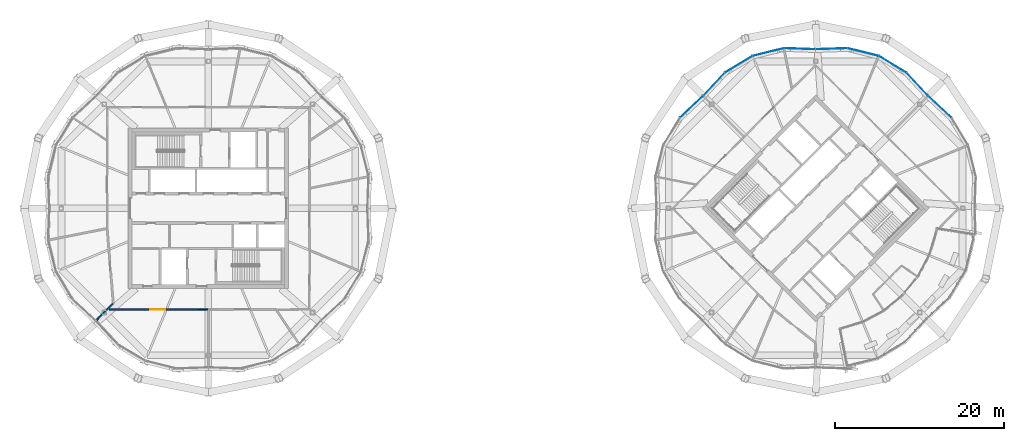
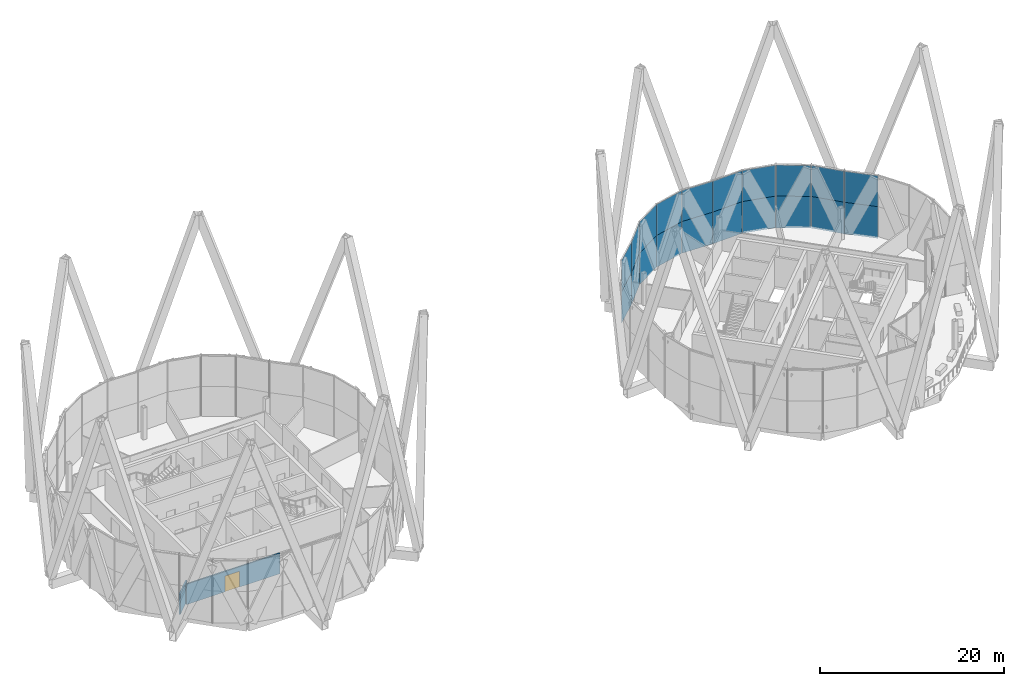
# One storey, part 29 of 38: 20 plates, 2 walls, 1 door, 1 opening, 4 elements without a shape of their own.
"""IFC4 building model written with IfcOpenShell, lengths in metres."""

from ifc_helpers import new_model, si_unit, direction, frame, frame_2d, origin, origin_2d, place, context, subcontext, project, spatial, rectangle, extrude, material, layer, layer_set, type_object, element, fill, aggregate, save


model = new_model("IFC4")

# Units and contexts
model_context = context("Model", 3, precision=1e-05, world=origin(), true_north=direction((0.0, 1.0)))
body_context = subcontext(model_context, "Body", "Model", "MODEL_VIEW")
ifc_project = project(units=[si_unit("LENGTHUNIT", "METRE"), si_unit("AREAUNIT", "SQUARE_METRE"), si_unit("VOLUMEUNIT", "CUBIC_METRE"), si_unit("PLANEANGLEUNIT", "RADIAN"), si_unit("MASSUNIT", "GRAM", prefix="KILO")], contexts=[model_context])

# Site, building, storey
site_placement = place(None, origin())
site = spatial("IfcSite", under=ifc_project, at=site_placement, CompositionType="ELEMENT")
building_placement = place(site_placement, origin())
building = spatial("IfcBuilding", under=site, at=building_placement, Name="Ogive Gate Towers", CompositionType="ELEMENT")
storey_placement = place(building_placement, frame((0.0, 0.0, 268.800048828125)))
storey = spatial("IfcBuildingStorey", under=building, at=storey_placement, Name="L63", CompositionType="ELEMENT", Elevation=268.800048828125)

# Curtain wall, plates
ifc_material_1 = material(Name="Pale metal aluminium", Category="aluminium")
curtain_wall_type = type_object("IfcCurtainWallType", Name="Tower unitised wall, high zone", PredefinedType="NOTDEFINED", material=ifc_material_1)
curtain_wall_1_placement = place(storey_placement, origin())
curtain_wall_1 = element("IfcCurtainWall", 1, at=curtain_wall_1_placement, inside=storey, type_object=curtain_wall_type, Name="CW2 T2 ECW03", PredefinedType="NOTDEFINED")
ifc_material_2 = material(Name="Clear glass", Category="glass")
ifc_layer_1 = layer(ifc_material_2, 0.028076171875)
ifc_layer_set_1 = layer_set([ifc_layer_1], Name="Tower unitised wall, high zone glass panel")
plate_type = type_object("IfcPlateType", Name="Tower unitised wall, high zone glass panel", PredefinedType="CURTAIN_PANEL", material=ifc_layer_set_1)
plate_1_placement = place(storey_placement, frame((50.712890625, 12.05126953125, -0.2998046875), z_axis=(0.0, 0.0, 1.0), x_axis=(0.73111559473, -0.682253609109, 0.0)))
plate_1 = element("IfcPlate", 2, at=plate_1_placement, type_object=plate_type, Name="CW2 glass panel", PredefinedType="CURTAIN_PANEL", context=body_context, shape_type="SweptSolid", body=[
    extrude(rectangle(XDim=3.712158203125, YDim=0.028076171875, at=origin_2d()), origin(), (0.0, 0.0, 1.0), 4.199951171875),
])
plate_2_placement = place(storey_placement, frame((50.712890625, 12.05126953125, 3.89990234375), z_axis=(0.0, 0.0, 1.0), x_axis=(0.73111559473, -0.682253609109, 0.0)))
plate_2 = element("IfcPlate", 3, at=plate_2_placement, type_object=plate_type, Name="CW2 glass panel", PredefinedType="CURTAIN_PANEL", context=body_context, shape_type="SweptSolid", body=[
    extrude(rectangle(XDim=3.712158203125, YDim=0.028076171875, at=origin_2d()), origin(), (0.0, 0.0, 1.0), 4.10400390625),
])
aggregate(curtain_wall_1, [plate_1, plate_2])

curtain_wall_2_placement = place(storey_placement, origin())
curtain_wall_2 = element("IfcCurtainWall", 4, at=curtain_wall_2_placement, inside=storey, type_object=curtain_wall_type, Name="CW2 T2 ECW04", PredefinedType="NOTDEFINED")
plate_3_placement = place(storey_placement, frame((37.882080078125, 18.925048828125, -0.2998046875), z_axis=(0.0, 0.0, 1.0), x_axis=(0.999403551225, 0.034533198497, 0.0)))
plate_3 = element("IfcPlate", 5, at=plate_3_placement, type_object=plate_type, Name="CW2 glass panel", PredefinedType="CURTAIN_PANEL", context=body_context, shape_type="SweptSolid", body=[
    extrude(rectangle(XDim=3.712158203125, YDim=0.028076171875, at=origin_2d()), origin(), (0.0, 0.0, 1.0), 4.199951171875),
])
plate_4_placement = place(storey_placement, frame((37.882080078125, 18.925048828125, 3.89990234375), z_axis=(0.0, 0.0, 1.0), x_axis=(0.999403551225, 0.034533198497, 0.0)))
plate_4 = element("IfcPlate", 6, at=plate_4_placement, type_object=plate_type, Name="CW2 glass panel", PredefinedType="CURTAIN_PANEL", context=body_context, shape_type="SweptSolid", body=[
    extrude(rectangle(XDim=3.712158203125, YDim=0.028076171875, at=origin_2d()), origin(), (0.0, 0.0, 1.0), 4.10400390625),
])
plate_5_placement = place(storey_placement, frame((41.626708984375, 18.53125, -0.2998046875), z_axis=(0.0, 0.0, 1.0), x_axis=(0.97082957859, -0.239770576456, 0.0)))
plate_5 = element("IfcPlate", 7, at=plate_5_placement, type_object=plate_type, Name="CW2 glass panel", PredefinedType="CURTAIN_PANEL", context=body_context, shape_type="SweptSolid", body=[
    extrude(rectangle(XDim=3.767333984375, YDim=0.028076171875, at=origin_2d()), origin(), (0.0, 0.0, 1.0), 4.199951171875),
])
plate_6_placement = place(storey_placement, frame((41.626708984375, 18.53125, 3.89990234375), z_axis=(0.0, 0.0, 1.0), x_axis=(0.97082957859, -0.239770576456, 0.0)))
plate_6 = element("IfcPlate", 8, at=plate_6_placement, type_object=plate_type, Name="CW2 glass panel", PredefinedType="CURTAIN_PANEL", context=body_context, shape_type="SweptSolid", body=[
    extrude(rectangle(XDim=3.767333984375, YDim=0.028076171875, at=origin_2d()), origin(), (0.0, 0.0, 1.0), 4.10400390625),
])
plate_7_placement = place(storey_placement, frame((45.125, 17.082275390625, -0.2998046875), z_axis=(0.0, 0.0, 1.0), x_axis=(0.856032601057, -0.516921837348, 0.0)))
plate_7 = element("IfcPlate", 9, at=plate_7_placement, type_object=plate_type, Name="CW2 glass panel", PredefinedType="CURTAIN_PANEL", context=body_context, shape_type="SweptSolid", body=[
    extrude(rectangle(XDim=3.767578125, YDim=0.028076171875, at=origin_2d()), origin(), (0.0, 0.0, 1.0), 4.199951171875),
])
plate_8_placement = place(storey_placement, frame((45.125, 17.082275390625, 3.89990234375), z_axis=(0.0, 0.0, 1.0), x_axis=(0.856032601057, -0.516921837348, 0.0)))
plate_8 = element("IfcPlate", 10, at=plate_8_placement, type_object=plate_type, Name="CW2 glass panel", PredefinedType="CURTAIN_PANEL", context=body_context, shape_type="SweptSolid", body=[
    extrude(rectangle(XDim=3.767578125, YDim=0.028076171875, at=origin_2d()), origin(), (0.0, 0.0, 1.0), 4.10400390625),
])
plate_9_placement = place(storey_placement, frame((48.05126953125, 14.712890625, -0.2998046875), z_axis=(0.0, 0.0, 1.0), x_axis=(0.682253609109, -0.73111559473, 0.0)))
plate_9 = element("IfcPlate", 11, at=plate_9_placement, type_object=plate_type, Name="CW2 glass panel", PredefinedType="CURTAIN_PANEL", context=body_context, shape_type="SweptSolid", body=[
    extrude(rectangle(XDim=3.712158203125, YDim=0.028076171875, at=origin_2d()), origin(), (0.0, 0.0, 1.0), 4.199951171875),
])
plate_10_placement = place(storey_placement, frame((48.05126953125, 14.712890625, 3.89990234375), z_axis=(0.0, 0.0, 1.0), x_axis=(0.682253609109, -0.73111559473, 0.0)))
plate_10 = element("IfcPlate", 12, at=plate_10_placement, type_object=plate_type, Name="CW2 glass panel", PredefinedType="CURTAIN_PANEL", context=body_context, shape_type="SweptSolid", body=[
    extrude(rectangle(XDim=3.712158203125, YDim=0.028076171875, at=origin_2d()), origin(), (0.0, 0.0, 1.0), 4.10400390625),
])
aggregate(curtain_wall_2, [plate_3, plate_4, plate_5, plate_6, plate_7, plate_8, plate_9, plate_10])

curtain_wall_3_placement = place(storey_placement, origin())
curtain_wall_3 = element("IfcCurtainWall", 13, at=curtain_wall_3_placement, inside=storey, type_object=curtain_wall_type, Name="CW2 T2 ECW05", PredefinedType="NOTDEFINED")
plate_11_placement = place(storey_placement, frame((23.94873046875, 14.712890625, -0.2998046875), z_axis=(0.0, 0.0, 1.0), x_axis=(0.682253609109, 0.73111559473, 0.0)))
plate_11 = element("IfcPlate", 14, at=plate_11_placement, type_object=plate_type, Name="CW2 glass panel", PredefinedType="CURTAIN_PANEL", context=body_context, shape_type="SweptSolid", body=[
    extrude(rectangle(XDim=3.712158203125, YDim=0.028076171875, at=origin_2d()), origin(), (0.0, 0.0, 1.0), 4.199951171875),
])
plate_12_placement = place(storey_placement, frame((23.94873046875, 14.712890625, 3.89990234375), z_axis=(0.0, 0.0, 1.0), x_axis=(0.682253609109, 0.73111559473, 0.0)))
plate_12 = element("IfcPlate", 15, at=plate_12_placement, type_object=plate_type, Name="CW2 glass panel", PredefinedType="CURTAIN_PANEL", context=body_context, shape_type="SweptSolid", body=[
    extrude(rectangle(XDim=3.712158203125, YDim=0.028076171875, at=origin_2d()), origin(), (0.0, 0.0, 1.0), 4.10400390625),
])
plate_13_placement = place(storey_placement, frame((26.875, 17.082275390625, -0.2998046875), z_axis=(0.0, 0.0, 1.0), x_axis=(0.856032601057, 0.516921837348, 0.0)))
plate_13 = element("IfcPlate", 16, at=plate_13_placement, type_object=plate_type, Name="CW2 glass panel", PredefinedType="CURTAIN_PANEL", context=body_context, shape_type="SweptSolid", body=[
    extrude(rectangle(XDim=3.767578125, YDim=0.028076171875, at=origin_2d()), origin(), (0.0, 0.0, 1.0), 4.199951171875),
])
plate_14_placement = place(storey_placement, frame((26.875, 17.082275390625, 3.89990234375), z_axis=(0.0, 0.0, 1.0), x_axis=(0.856032601057, 0.516921837348, 0.0)))
plate_14 = element("IfcPlate", 17, at=plate_14_placement, type_object=plate_type, Name="CW2 glass panel", PredefinedType="CURTAIN_PANEL", context=body_context, shape_type="SweptSolid", body=[
    extrude(rectangle(XDim=3.767578125, YDim=0.028076171875, at=origin_2d()), origin(), (0.0, 0.0, 1.0), 4.10400390625),
])
plate_15_placement = place(storey_placement, frame((30.373291015625, 18.53125, -0.2998046875), z_axis=(0.0, 0.0, 1.0), x_axis=(0.97082957859, 0.239770576456, 0.0)))
plate_15 = element("IfcPlate", 18, at=plate_15_placement, type_object=plate_type, Name="CW2 glass panel", PredefinedType="CURTAIN_PANEL", context=body_context, shape_type="SweptSolid", body=[
    extrude(rectangle(XDim=3.767333984375, YDim=0.028076171875, at=origin_2d()), origin(), (0.0, 0.0, 1.0), 4.199951171875),
])
plate_16_placement = place(storey_placement, frame((30.373291015625, 18.53125, 3.89990234375), z_axis=(0.0, 0.0, 1.0), x_axis=(0.97082957859, 0.239770576456, 0.0)))
plate_16 = element("IfcPlate", 19, at=plate_16_placement, type_object=plate_type, Name="CW2 glass panel", PredefinedType="CURTAIN_PANEL", context=body_context, shape_type="SweptSolid", body=[
    extrude(rectangle(XDim=3.767333984375, YDim=0.028076171875, at=origin_2d()), origin(), (0.0, 0.0, 1.0), 4.10400390625),
])
plate_17_placement = place(storey_placement, frame((34.117919921875, 18.925048828125, -0.2998046875), z_axis=(0.0, 0.0, 1.0), x_axis=(0.999403551225, -0.034533198497, 0.0)))
plate_17 = element("IfcPlate", 20, at=plate_17_placement, type_object=plate_type, Name="CW2 glass panel", PredefinedType="CURTAIN_PANEL", context=body_context, shape_type="SweptSolid", body=[
    extrude(rectangle(XDim=3.712158203125, YDim=0.028076171875, at=origin_2d()), origin(), (0.0, 0.0, 1.0), 4.199951171875),
])
plate_18_placement = place(storey_placement, frame((34.117919921875, 18.925048828125, 3.89990234375), z_axis=(0.0, 0.0, 1.0), x_axis=(0.999403551225, -0.034533198497, 0.0)))
plate_18 = element("IfcPlate", 21, at=plate_18_placement, type_object=plate_type, Name="CW2 glass panel", PredefinedType="CURTAIN_PANEL", context=body_context, shape_type="SweptSolid", body=[
    extrude(rectangle(XDim=3.712158203125, YDim=0.028076171875, at=origin_2d()), origin(), (0.0, 0.0, 1.0), 4.10400390625),
])
aggregate(curtain_wall_3, [plate_11, plate_12, plate_13, plate_14, plate_15, plate_16, plate_17, plate_18])

curtain_wall_4_placement = place(storey_placement, origin())
curtain_wall_4 = element("IfcCurtainWall", 22, at=curtain_wall_4_placement, inside=storey, type_object=curtain_wall_type, Name="CW2 T2 ECW06", PredefinedType="NOTDEFINED")
plate_19_placement = place(storey_placement, frame((21.287109375, 12.05126953125, -0.2998046875), z_axis=(0.0, 0.0, 1.0), x_axis=(0.73111559473, 0.682253609109, 0.0)))
plate_19 = element("IfcPlate", 23, at=plate_19_placement, type_object=plate_type, Name="CW2 glass panel", PredefinedType="CURTAIN_PANEL", context=body_context, shape_type="SweptSolid", body=[
    extrude(rectangle(XDim=3.712158203125, YDim=0.028076171875, at=origin_2d()), origin(), (0.0, 0.0, 1.0), 4.199951171875),
])
plate_20_placement = place(storey_placement, frame((21.287109375, 12.05126953125, 3.89990234375), z_axis=(0.0, 0.0, 1.0), x_axis=(0.73111559473, 0.682253609109, 0.0)))
plate_20 = element("IfcPlate", 24, at=plate_20_placement, type_object=plate_type, Name="CW2 glass panel", PredefinedType="CURTAIN_PANEL", context=body_context, shape_type="SweptSolid", body=[
    extrude(rectangle(XDim=3.712158203125, YDim=0.028076171875, at=origin_2d()), origin(), (0.0, 0.0, 1.0), 4.10400390625),
])
aggregate(curtain_wall_4, [plate_19, plate_20])

# Wall
ifc_material_3 = material(Name="Gypsum board acoustic partition")
ifc_layer_2 = layer(ifc_material_3, 0.175048828125)
ifc_layer_set_2 = layer_set([ifc_layer_2], Name="Acoustic partition 175")
wall_type = type_object("IfcWallType", Name="Acoustic partition 175", PredefinedType="PARTITIONING", material=ifc_layer_set_2)
wall_1_placement = place(storey_placement, frame((-49.322509765625, -13.322509765625, 0.0), z_axis=(0.0, 0.0, 1.0), x_axis=(0.707106781187, 0.707106781187, 0.0)))
element("IfcWall", 25, at=wall_1_placement, inside=storey, type_object=wall_type, Name="Partition T1-L63-007", PredefinedType="PARTITIONING", context=body_context, shape_type="SweptSolid", body=[
    extrude(rectangle(XDim=2.813232421875, YDim=0.175048828125, at=frame_2d((1.40673828125, 0.0))), origin(), (0.0, 0.0, 1.0), 2.699951171875),
])

# Wall, opening, door
wall_2_placement = place(storey_placement, frame((-47.759033203125, -11.980224609375, 0.0), z_axis=(0.0, 0.0, 1.0), x_axis=(0.999999655153, -0.000830478277, 0.0)))
wall_2 = element("IfcWall", 26, at=wall_2_placement, inside=storey, type_object=wall_type, Name="Partition T1-L63-016", PredefinedType="PARTITIONING", context=body_context, shape_type="SweptSolid", body=[
    extrude(rectangle(XDim=11.759033203125, YDim=0.175048828125, at=frame_2d((5.87939453125, 0.0))), origin(), (0.0, 0.0, 1.0), 2.699951171875),
])
opening_placement = place(wall_2_placement, frame((4.868896484375, 0.0, 0.0)))
opening = element("IfcOpeningElement", 27, at=opening_placement, cuts=wall_2, Name="Opening T1-L63-D05", PredefinedType="OPENING", context=body_context, shape_type="SweptSolid", body=[
    extrude(rectangle(XDim=1.800048828125, YDim=2.10009765625, at=frame_2d((0.89990234375, 1.050048828125))), frame((0.0, 0.09765625, 0.0), z_axis=(0.0, -1.0, 0.0), x_axis=(1.0, 0.0, 0.0)), (0.0, 0.0, 1.0), 0.195068359375),
])
ifc_material_4 = material(Name="Timber door", Category="wood")
door_type = type_object("IfcDoorType", Name="Door pair 1800", OperationType="NOTDEFINED", PredefinedType="DOOR", material=ifc_material_4)
door_placement = place(opening_placement, origin())
door = element("IfcDoor", 28, at=door_placement, inside=storey, type_object=door_type, Name="Door T1-L63-D05", OperationType="DOUBLE_DOOR_DOUBLE_SWING", OverallHeight=2.10009765625, OverallWidth=1.800048828125, PredefinedType="DOOR", context=body_context, shape_type="SweptSolid", body=[
    extrude(rectangle(XDim=1.800048828125, YDim=2.10009765625, at=frame_2d((0.89990234375, 1.050048828125))), frame((0.0, 0.02490234375, 0.0), z_axis=(0.0, -1.0, 0.0), x_axis=(1.0, 0.0, 0.0)), (0.0, 0.0, 1.0), 0.050048828125),
])
fill(opening, door)

save(model, "model.ifc")
